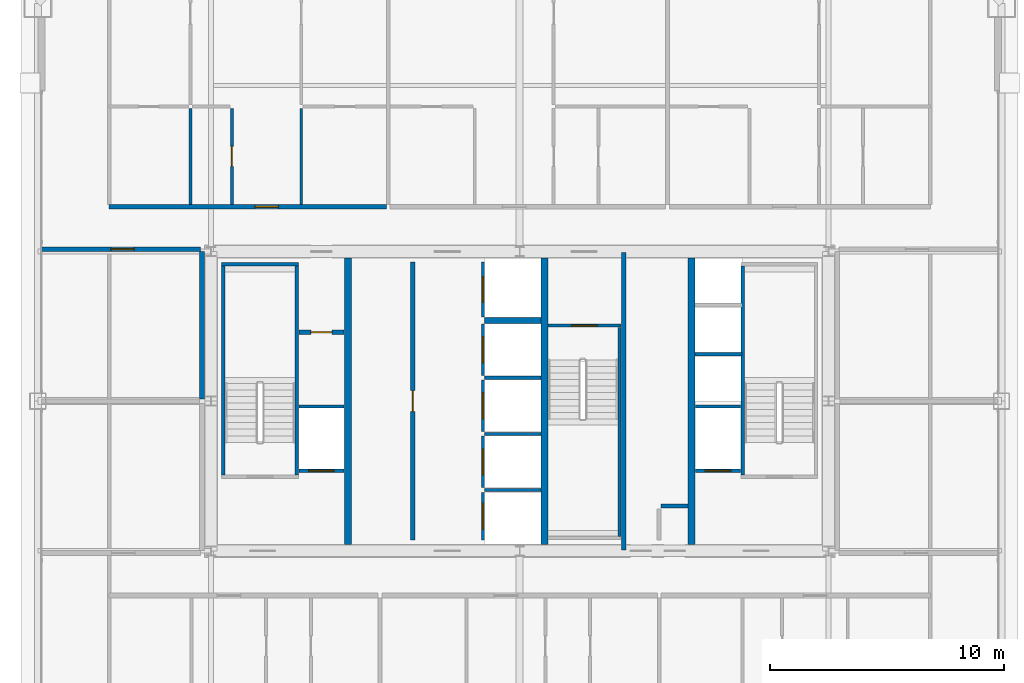
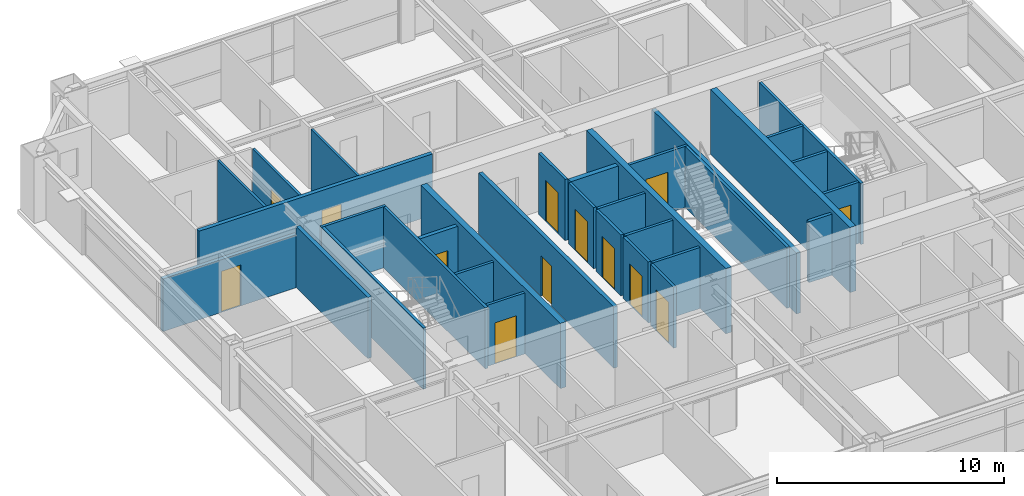
# One storey, part 33 of 37: 33 walls, 13 doors, 13 openings.
"""IFC4 building model written with IfcOpenShell, lengths in metres."""

from ifc_helpers import new_model, si_unit, direction, frame, frame_2d, origin, place, context, subcontext, project, spatial, rectangle, extrude, source, transform, mapped, material, layer, layer_set, type_object, element, fill, save


model = new_model("IFC4")

# Units and contexts
model_context = context("Model", 3, precision=1e-05, world=origin(), true_north=direction((0.0, 1.0)))
body_context = subcontext(model_context, "Body", "Model", "MODEL_VIEW")
ifc_project = project(units=[si_unit("LENGTHUNIT", "METRE"), si_unit("AREAUNIT", "SQUARE_METRE"), si_unit("VOLUMEUNIT", "CUBIC_METRE"), si_unit("PLANEANGLEUNIT", "RADIAN"), si_unit("MASSUNIT", "GRAM", prefix="KILO"), si_unit("THERMODYNAMICTEMPERATUREUNIT", "KELVIN"), si_unit("POWERUNIT", "WATT")], contexts=[model_context])

# Site, building, storey
site_placement = place(None, origin())
site = spatial("IfcSite", under=ifc_project, at=site_placement, CompositionType="ELEMENT")
building_placement = place(site_placement, origin())
building = spatial("IfcBuilding", under=site, at=building_placement, Name="Yuzanri Waterfront Tower", CompositionType="ELEMENT")
storey_placement = place(building_placement, frame((0.0, 0.0, 252.10009765625)))
storey = spatial("IfcBuildingStorey", under=building, at=storey_placement, Name="L67", CompositionType="ELEMENT", Elevation=252.10009765625)

# Wall, opening, door
ifc_material_1 = material(Name="Moisture-Resistant Gypsum Stud Wall", Category="gypsum")
ifc_layer_1 = layer(ifc_material_1, 0.1201171875)
ifc_layer_set_1 = layer_set([ifc_layer_1], Name="Moisture-Resistant Gypsum Stud Wall")
wall_type_1 = type_object("IfcWallType", Name="Bathroom and Kitchen Wet Partition 120", PredefinedType="PARTITIONING", material=ifc_layer_set_1)
wall_1_placement = place(storey_placement, frame((24.693115234375, 34.2099609375, 0.0), z_axis=(0.0, 0.0, 1.0), x_axis=(0.0, 1.0, 0.0)))
wall_1 = element("IfcWall", 1, at=wall_1_placement, inside=storey, type_object=wall_type_1, Name="L67 Partition UW-L67-RN1-SUB-2-E", PredefinedType="PARTITIONING", context=body_context, shape_type="SweptSolid", body=[
    extrude(rectangle(XDim=4.110107421875, YDim=0.1201171875, at=frame_2d((2.05517578125, 0.0))), origin(), (0.0, 0.0, 1.0), 3.27978515625),
])
opening_1_placement = place(wall_1_placement, frame((1.6298828125, 0.0, 0.0)))
opening_1 = element("IfcOpeningElement", 2, at=opening_1_placement, cuts=wall_1, Name="Opening ID-0850", PredefinedType="OPENING", context=body_context, shape_type="SweptSolid", body=[
    extrude(rectangle(XDim=0.85009765625, YDim=2.10009765625, at=frame_2d((0.425048828125, 1.050048828125))), frame((0.0, 0.074951171875, 0.0), z_axis=(0.0, -1.0, 0.0), x_axis=(1.0, 0.0, 0.0)), (0.0, 0.0, 1.0), 0.14990234375),
])
ifc_material_2 = material(Name="Moisture-Resistant Lacquered Timber", Category="wood")
door_type_1 = type_object("IfcDoorType", Name="En-Suite Bathroom and Kitchen Swing Door 850x2100", OperationType="NOTDEFINED", PredefinedType="DOOR", material=ifc_material_2)
shared_shape_1 = source(origin(), body_context, "Body", "SweptSolid", [
    extrude(rectangle(XDim=0.85009765625, YDim=2.10009765625, at=frame_2d((0.425048828125, 1.050048828125))), frame((0.0, 0.02490234375, 0.0), z_axis=(0.0, -1.0, 0.0), x_axis=(1.0, 0.0, 0.0)), (0.0, 0.0, 1.0), 0.050048828125),
])
door_1_placement = place(opening_1_placement, origin())
door_1 = element("IfcDoor", 3, at=door_1_placement, inside=storey, type_object=door_type_1, Name="L67 Suite Interior Room Door", OperationType="SINGLE_SWING_LEFT", OverallHeight=2.10009765625, OverallWidth=0.85009765625, PredefinedType="DOOR", context=body_context, shape_type="MappedRepresentation", body=[
    mapped(shared_shape_1, transform((0.0, 0.0, 0.0), scale=1.0)),
])
fill(opening_1, door_1)

ifc_material_3 = material(Name="Concrete C40", Category="concrete")
ifc_layer_2 = layer(ifc_material_3, 0.139892578125)
ifc_layer_set_2 = layer_set([ifc_layer_2], Name="Concrete C40")
wall_type_2 = type_object("IfcWallType", Name="Core Stair Liner and Hoistway Shaft Wall 140", PredefinedType="SOLIDWALL", material=ifc_layer_set_2)
wall_2_placement = place(storey_placement, frame((27.56005859375, 22.830078125, 0.0), z_axis=(0.0, 0.0, 1.0), x_axis=(1.0, 0.0, 0.0)))
wall_2 = element("IfcWall", 4, at=wall_2_placement, inside=storey, type_object=wall_type_2, Name="L67 Lift FL-01 Front Shaft Wall", PredefinedType="SOLIDWALL", context=body_context, shape_type="SweptSolid", body=[
    extrude(rectangle(XDim=1.919921875, YDim=0.139892578125, at=frame_2d((0.9599609375, 0.0))), origin(), (0.0, 0.0, 1.0), 3.27978515625),
])
opening_2_placement = place(wall_2_placement, frame((0.409912109375, 0.0, 0.0)))
opening_2 = element("IfcOpeningElement", 5, at=opening_2_placement, cuts=wall_2, Name="Opening LD-FL-01", PredefinedType="OPENING", context=body_context, shape_type="SweptSolid", body=[
    extrude(rectangle(XDim=1.10009765625, YDim=2.199951171875, at=frame_2d((0.550048828125, 1.10009765625))), frame((0.0, 0.0849609375, 0.0), z_axis=(0.0, -1.0, 0.0), x_axis=(1.0, 0.0, 0.0)), (0.0, 0.0, 1.0), 0.169677734375),
])
ifc_material_4 = material(Name="Brushed Bronze and Stainless Steel Cab", Category="steel")
door_type_2 = type_object("IfcDoorType", Name="Center-Parting Bronze Lift Landing Sliding Door 1100x2200", OperationType="NOTDEFINED", PredefinedType="DOOR", material=ifc_material_4)
shared_shape_2 = source(origin(), body_context, "Body", "SweptSolid", [
    extrude(rectangle(XDim=1.10009765625, YDim=2.199951171875, at=frame_2d((0.550048828125, 1.10009765625))), frame((0.0, 0.02490234375, 0.0), z_axis=(0.0, -1.0, 0.0), x_axis=(1.0, 0.0, 0.0)), (0.0, 0.0, 1.0), 0.050048828125),
])
door_2_placement = place(opening_2_placement, origin())
door_2 = element("IfcDoor", 6, at=door_2_placement, inside=storey, type_object=door_type_2, Name="L67 FL-01 Lift Landing Sliding Door", OperationType="SLIDING_TO_LEFT", OverallHeight=2.199951171875, OverallWidth=1.10009765625, PredefinedType="DOOR", context=body_context, shape_type="MappedRepresentation", body=[
    mapped(shared_shape_2, transform((0.0, 0.0, 0.0), scale=1.0)),
])
fill(opening_2, door_2)

wall_3_placement = place(storey_placement, frame((44.52001953125, 22.830078125, 0.0), z_axis=(0.0, 0.0, 1.0), x_axis=(1.0, 0.0, 0.0)))
wall_3 = element("IfcWall", 7, at=wall_3_placement, inside=storey, type_object=wall_type_2, Name="L67 Lift FL-02 Front Shaft Wall", PredefinedType="SOLIDWALL", context=body_context, shape_type="SweptSolid", body=[
    extrude(rectangle(XDim=1.919921875, YDim=0.139892578125, at=frame_2d((0.9599609375, 0.0))), origin(), (0.0, 0.0, 1.0), 3.27978515625),
])
opening_3_placement = place(wall_3_placement, frame((0.409912109375, 0.0, 0.0)))
opening_3 = element("IfcOpeningElement", 8, at=opening_3_placement, cuts=wall_3, Name="Opening LD-FL-02", PredefinedType="OPENING", context=body_context, shape_type="SweptSolid", body=[
    extrude(rectangle(XDim=1.10009765625, YDim=2.199951171875, at=frame_2d((0.550048828125, 1.10009765625))), frame((0.0, 0.0849609375, 0.0), z_axis=(0.0, -1.0, 0.0), x_axis=(1.0, 0.0, 0.0)), (0.0, 0.0, 1.0), 0.169677734375),
])
door_3_placement = place(opening_3_placement, origin())
door_3 = element("IfcDoor", 9, at=door_3_placement, inside=storey, type_object=door_type_2, Name="L67 FL-02 Lift Landing Sliding Door", OperationType="SLIDING_TO_RIGHT", OverallHeight=2.199951171875, OverallWidth=1.10009765625, PredefinedType="DOOR", context=body_context, shape_type="MappedRepresentation", body=[
    mapped(shared_shape_2, transform((0.0, 0.0, 0.0), scale=1.0)),
])
fill(opening_3, door_3)

wall_4_placement = place(storey_placement, frame((35.429931640625, 19.860107421875, 0.0), z_axis=(0.0, 0.0, 1.0), x_axis=(0.0, 1.0, 0.0)))
wall_4 = element("IfcWall", 10, at=wall_4_placement, inside=storey, type_object=wall_type_2, Name="L67 Lift PL-05 Front Shaft Wall", PredefinedType="SOLIDWALL", context=body_context, shape_type="SweptSolid", body=[
    extrude(rectangle(XDim=2.039794921875, YDim=0.139892578125, at=frame_2d((1.02001953125, 0.0))), origin(), (0.0, 0.0, 1.0), 3.27978515625),
])
opening_4_placement = place(wall_4_placement, frame((0.469970703125, 0.0, 0.0)))
opening_4 = element("IfcOpeningElement", 11, at=opening_4_placement, cuts=wall_4, Name="Opening LD-PL-05", PredefinedType="OPENING", context=body_context, shape_type="SweptSolid", body=[
    extrude(rectangle(XDim=1.10009765625, YDim=2.199951171875, at=frame_2d((0.550048828125, 1.10009765625))), frame((0.0, 0.0849609375, 0.0), z_axis=(0.0, -1.0, 0.0), x_axis=(1.0, 0.0, 0.0)), (0.0, 0.0, 1.0), 0.169677734375),
])
door_4_placement = place(opening_4_placement, origin())
door_4 = element("IfcDoor", 12, at=door_4_placement, inside=storey, type_object=door_type_2, Name="L67 PL-05 Lift Landing Sliding Door", OperationType="SLIDING_TO_RIGHT", OverallHeight=2.199951171875, OverallWidth=1.10009765625, PredefinedType="DOOR", context=body_context, shape_type="MappedRepresentation", body=[
    mapped(shared_shape_2, transform((0.0, 0.0, 0.0), scale=1.0)),
])
fill(opening_4, door_4)

wall_5_placement = place(storey_placement, frame((35.429931640625, 22.10009765625, 0.0), z_axis=(0.0, 0.0, 1.0), x_axis=(0.0, 1.0, 0.0)))
wall_5 = element("IfcWall", 13, at=wall_5_placement, inside=storey, type_object=wall_type_2, Name="L67 Lift PL-06 Front Shaft Wall", PredefinedType="SOLIDWALL", context=body_context, shape_type="SweptSolid", body=[
    extrude(rectangle(XDim=2.199951171875, YDim=0.139892578125, at=frame_2d((1.10009765625, 0.0))), origin(), (0.0, 0.0, 1.0), 3.27978515625),
])
opening_5_placement = place(wall_5_placement, frame((0.550048828125, 0.0, 0.0)))
opening_5 = element("IfcOpeningElement", 14, at=opening_5_placement, cuts=wall_5, Name="Opening LD-PL-06", PredefinedType="OPENING", context=body_context, shape_type="SweptSolid", body=[
    extrude(rectangle(XDim=1.10009765625, YDim=2.199951171875, at=frame_2d((0.550048828125, 1.10009765625))), frame((0.0, 0.0849609375, 0.0), z_axis=(0.0, -1.0, 0.0), x_axis=(1.0, 0.0, 0.0)), (0.0, 0.0, 1.0), 0.169677734375),
])
door_5_placement = place(opening_5_placement, origin())
door_5 = element("IfcDoor", 15, at=door_5_placement, inside=storey, type_object=door_type_2, Name="L67 PL-06 Lift Landing Sliding Door", OperationType="SLIDING_TO_LEFT", OverallHeight=2.199951171875, OverallWidth=1.10009765625, PredefinedType="DOOR", context=body_context, shape_type="MappedRepresentation", body=[
    mapped(shared_shape_2, transform((0.0, 0.0, 0.0), scale=1.0)),
])
fill(opening_5, door_5)

wall_6_placement = place(storey_placement, frame((35.429931640625, 24.5, 0.0), z_axis=(0.0, 0.0, 1.0), x_axis=(0.0, 1.0, 0.0)))
wall_6 = element("IfcWall", 16, at=wall_6_placement, inside=storey, type_object=wall_type_2, Name="L67 Lift PL-07 Front Shaft Wall", PredefinedType="SOLIDWALL", context=body_context, shape_type="SweptSolid", body=[
    extrude(rectangle(XDim=2.199951171875, YDim=0.139892578125, at=frame_2d((1.10009765625, 0.0))), origin(), (0.0, 0.0, 1.0), 3.27978515625),
])
opening_6_placement = place(wall_6_placement, frame((0.550048828125, 0.0, 0.0)))
opening_6 = element("IfcOpeningElement", 17, at=opening_6_placement, cuts=wall_6, Name="Opening LD-PL-07", PredefinedType="OPENING", context=body_context, shape_type="SweptSolid", body=[
    extrude(rectangle(XDim=1.10009765625, YDim=2.199951171875, at=frame_2d((0.550048828125, 1.10009765625))), frame((0.0, 0.0849609375, 0.0), z_axis=(0.0, -1.0, 0.0), x_axis=(1.0, 0.0, 0.0)), (0.0, 0.0, 1.0), 0.169677734375),
])
door_6_placement = place(opening_6_placement, origin())
door_6 = element("IfcDoor", 18, at=door_6_placement, inside=storey, type_object=door_type_2, Name="L67 PL-07 Lift Landing Sliding Door", OperationType="SLIDING_TO_RIGHT", OverallHeight=2.199951171875, OverallWidth=1.10009765625, PredefinedType="DOOR", context=body_context, shape_type="MappedRepresentation", body=[
    mapped(shared_shape_2, transform((0.0, 0.0, 0.0), scale=1.0)),
])
fill(opening_6, door_6)

wall_7_placement = place(storey_placement, frame((35.429931640625, 26.89990234375, 0.0), z_axis=(0.0, 0.0, 1.0), x_axis=(0.0, 1.0, 0.0)))
wall_7 = element("IfcWall", 19, at=wall_7_placement, inside=storey, type_object=wall_type_2, Name="L67 Lift PL-08 Front Shaft Wall", PredefinedType="SOLIDWALL", context=body_context, shape_type="SweptSolid", body=[
    extrude(rectangle(XDim=2.2001953125, YDim=0.139892578125, at=frame_2d((1.10009765625, 0.0))), origin(), (0.0, 0.0, 1.0), 3.27978515625),
])
opening_7_placement = place(wall_7_placement, frame((0.550048828125, 0.0, 0.0)))
opening_7 = element("IfcOpeningElement", 20, at=opening_7_placement, cuts=wall_7, Name="Opening LD-PL-08", PredefinedType="OPENING", context=body_context, shape_type="SweptSolid", body=[
    extrude(rectangle(XDim=1.10009765625, YDim=2.199951171875, at=frame_2d((0.550048828125, 1.10009765625))), frame((0.0, 0.0849609375, 0.0), z_axis=(0.0, -1.0, 0.0), x_axis=(1.0, 0.0, 0.0)), (0.0, 0.0, 1.0), 0.169677734375),
])
door_7_placement = place(opening_7_placement, origin())
door_7 = element("IfcDoor", 21, at=door_7_placement, inside=storey, type_object=door_type_2, Name="L67 PL-08 Lift Landing Sliding Door", OperationType="SLIDING_TO_LEFT", OverallHeight=2.199951171875, OverallWidth=1.10009765625, PredefinedType="DOOR", context=body_context, shape_type="MappedRepresentation", body=[
    mapped(shared_shape_2, transform((0.0, 0.0, 0.0), scale=1.0)),
])
fill(opening_7, door_7)

wall_8_placement = place(storey_placement, frame((35.429931640625, 29.39990234375, 0.0), z_axis=(0.0, 0.0, 1.0), x_axis=(0.0, 1.0, 0.0)))
wall_8 = element("IfcWall", 22, at=wall_8_placement, inside=storey, type_object=wall_type_2, Name="L67 Lift SL-02 Front Shaft Wall", PredefinedType="SOLIDWALL", context=body_context, shape_type="SweptSolid", body=[
    extrude(rectangle(XDim=2.340087890625, YDim=0.139892578125, at=frame_2d((1.169921875, 0.0))), origin(), (0.0, 0.0, 1.0), 3.27978515625),
])
opening_8_placement = place(wall_8_placement, frame((0.6201171875, 0.0, 0.0)))
opening_8 = element("IfcOpeningElement", 23, at=opening_8_placement, cuts=wall_8, Name="Opening LD-SL-02", PredefinedType="OPENING", context=body_context, shape_type="SweptSolid", body=[
    extrude(rectangle(XDim=1.10009765625, YDim=2.199951171875, at=frame_2d((0.550048828125, 1.10009765625))), frame((0.0, 0.0849609375, 0.0), z_axis=(0.0, -1.0, 0.0), x_axis=(1.0, 0.0, 0.0)), (0.0, 0.0, 1.0), 0.169677734375),
])
door_8_placement = place(opening_8_placement, origin())
door_8 = element("IfcDoor", 24, at=door_8_placement, inside=storey, type_object=door_type_2, Name="L67 SL-02 Lift Landing Sliding Door", OperationType="SLIDING_TO_RIGHT", OverallHeight=2.199951171875, OverallWidth=1.10009765625, PredefinedType="DOOR", context=body_context, shape_type="MappedRepresentation", body=[
    mapped(shared_shape_2, transform((0.0, 0.0, 0.0), scale=1.0)),
])
fill(opening_8, door_8)

wall_9_placement = place(storey_placement, frame((38.199951171875, 29.030029296875, 0.0), z_axis=(0.0, 0.0, 1.0), x_axis=(1.0, 0.0, 0.0)))
wall_9 = element("IfcWall", 25, at=wall_9_placement, inside=storey, type_object=wall_type_2, Name="L67 Shaft Wall STW-L67-ST-03-N", PredefinedType="SOLIDWALL", context=body_context, shape_type="SweptSolid", body=[
    extrude(rectangle(XDim=3.14013671875, YDim=0.139892578125, at=frame_2d((1.570068359375, 0.0))), origin(), (0.0, 0.0, 1.0), 3.27978515625),
])
opening_9_placement = place(wall_9_placement, frame((1.02001953125, 0.0, 0.0)))
opening_9 = element("IfcOpeningElement", 26, at=opening_9_placement, cuts=wall_9, Name="Opening FD-1100", PredefinedType="OPENING", context=body_context, shape_type="SweptSolid", body=[
    extrude(rectangle(XDim=1.10009765625, YDim=2.199951171875, at=frame_2d((0.550048828125, 1.10009765625))), frame((0.0, 0.0849609375, 0.0), z_axis=(0.0, -1.0, 0.0), x_axis=(1.0, 0.0, 0.0)), (0.0, 0.0, 1.0), 0.169677734375),
])
ifc_material_5 = material(Name="Painted Galvanized Fire Steel", Category="steel")
door_type_3 = type_object("IfcDoorType", Name="Smoke-Proof Stair and Lobby Fire Door 1100x2200", OperationType="NOTDEFINED", PredefinedType="DOOR", material=ifc_material_5)
shared_shape_3 = source(origin(), body_context, "Body", "SweptSolid", [
    extrude(rectangle(XDim=1.10009765625, YDim=2.199951171875, at=frame_2d((0.550048828125, 1.10009765625))), frame((0.0, 0.02490234375, 0.0), z_axis=(0.0, -1.0, 0.0), x_axis=(1.0, 0.0, 0.0)), (0.0, 0.0, 1.0), 0.050048828125),
])
door_9_placement = place(opening_9_placement, origin())
door_9 = element("IfcDoor", 27, at=door_9_placement, inside=storey, type_object=door_type_3, Name="L67 Stair ST-03 Fire Door", OperationType="SINGLE_SWING_RIGHT", OverallHeight=2.199951171875, OverallWidth=1.10009765625, PredefinedType="DOOR", context=body_context, shape_type="MappedRepresentation", body=[
    mapped(shared_shape_3, transform((0.0, 0.0, 0.0), scale=1.0)),
])
fill(opening_9, door_9)

ifc_material_6 = material(Name="Autoclaved Aerated Concrete Blockwork", Category="masonry")
ifc_layer_3 = layer(ifc_material_6, 0.199951171875)
ifc_layer_set_3 = layer_set([ifc_layer_3], Name="Autoclaved Aerated Concrete Blockwork")
wall_type_3 = type_object("IfcWallType", Name="Corridor and Unit Party Fire Wall 200", PredefinedType="PARTITIONING", material=ifc_layer_set_3)
wall_10_placement = place(storey_placement, frame((27.56005859375, 28.75, 0.0), z_axis=(0.0, 0.0, 1.0), x_axis=(1.0, 0.0, 0.0)))
wall_10 = element("IfcWall", 28, at=wall_10_placement, inside=storey, type_object=wall_type_3, Name="L67 Partition CRW-L67-ERTR", PredefinedType="PARTITIONING", context=body_context, shape_type="SweptSolid", body=[
    extrude(rectangle(XDim=1.919921875, YDim=0.199951171875, at=frame_2d((0.9599609375, 0.0))), origin(), (0.0, 0.0, 1.0), 3.27978515625),
])
opening_10_placement = place(wall_10_placement, frame((0.510009765625, 0.0, 0.0)))
opening_10 = element("IfcOpeningElement", 29, at=opening_10_placement, cuts=wall_10, Name="Opening FD-0900", PredefinedType="OPENING", context=body_context, shape_type="SweptSolid", body=[
    extrude(rectangle(XDim=0.89990234375, YDim=2.14990234375, at=frame_2d((0.449951171875, 1.074951171875))), frame((0.0, 0.11474609375, 0.0), z_axis=(0.0, -1.0, 0.0), x_axis=(1.0, 0.0, 0.0)), (0.0, 0.0, 1.0), 0.229736328125),
])
ifc_material_7 = material(Name="Painted Galvanized Fire Steel", Category="steel")
door_type_4 = type_object("IfcDoorType", Name="Riser and Service Room Fire Door 900x2150", OperationType="NOTDEFINED", PredefinedType="DOOR", material=ifc_material_7)
shared_shape_4 = source(origin(), body_context, "Body", "SweptSolid", [
    extrude(rectangle(XDim=0.89990234375, YDim=2.14990234375, at=frame_2d((0.449951171875, 1.074951171875))), frame((0.0, 0.02490234375, 0.0), z_axis=(0.0, -1.0, 0.0), x_axis=(1.0, 0.0, 0.0)), (0.0, 0.0, 1.0), 0.050048828125),
])
door_10_placement = place(opening_10_placement, origin())
door_10 = element("IfcDoor", 30, at=door_10_placement, inside=storey, type_object=door_type_4, Name="L67 Electrical Riser Door", OperationType="SINGLE_SWING_LEFT", OverallHeight=2.14990234375, OverallWidth=0.89990234375, PredefinedType="DOOR", context=body_context, shape_type="MappedRepresentation", body=[
    mapped(shared_shape_4, transform((0.0, 0.0, 0.0), scale=1.0)),
])
fill(opening_10, door_10)

wall_11_placement = place(storey_placement, frame((32.419921875, 19.860107421875, 0.0), z_axis=(0.0, 0.0, 1.0), x_axis=(0.0, 1.0, 0.0)))
wall_11 = element("IfcWall", 31, at=wall_11_placement, inside=storey, type_object=wall_type_3, Name="L67 Partition CRW-L67-B1R-1", PredefinedType="PARTITIONING", context=body_context, shape_type="SweptSolid", body=[
    extrude(rectangle(XDim=11.8798828125, YDim=0.199951171875, at=frame_2d((5.93994140625, 0.0))), origin(), (0.0, 0.0, 1.0), 3.27978515625),
])
opening_11_placement = place(wall_11_placement, frame((5.489990234375, 0.0, 0.0)))
opening_11 = element("IfcOpeningElement", 32, at=opening_11_placement, cuts=wall_11, Name="Opening FD-0900", PredefinedType="OPENING", context=body_context, shape_type="SweptSolid", body=[
    extrude(rectangle(XDim=0.89990234375, YDim=2.14990234375, at=frame_2d((0.449951171875, 1.074951171875))), frame((0.0, 0.11474609375, 0.0), z_axis=(0.0, -1.0, 0.0), x_axis=(1.0, 0.0, 0.0)), (0.0, 0.0, 1.0), 0.229736328125),
])
door_11_placement = place(opening_11_placement, origin())
door_11 = element("IfcDoor", 33, at=door_11_placement, inside=storey, type_object=door_type_4, Name="L67 Private Store Room", OperationType="SINGLE_SWING_RIGHT", OverallHeight=2.14990234375, OverallWidth=0.89990234375, PredefinedType="DOOR", context=body_context, shape_type="MappedRepresentation", body=[
    mapped(shared_shape_4, transform((0.0, 0.0, 0.0), scale=1.0)),
])
fill(opening_11, door_11)

wall_12_placement = place(storey_placement, frame((19.43994140625, 34.110107421875, 0.0), z_axis=(0.0, 0.0, 1.0), x_axis=(1.0, 0.0, 0.0)))
wall_12 = element("IfcWall", 34, at=wall_12_placement, inside=storey, type_object=wall_type_3, Name="L67 Partition UW-L67-RN1-CS", PredefinedType="PARTITIONING", context=body_context, shape_type="SweptSolid", body=[
    extrude(rectangle(XDim=11.861083984375, YDim=0.199951171875, at=frame_2d((5.9306640625, 0.0))), origin(), (0.0, 0.0, 1.0), 3.27978515625),
])
opening_12_placement = place(wall_12_placement, frame((6.238037109375, 0.0, 0.0)))
opening_12 = element("IfcOpeningElement", 35, at=opening_12_placement, cuts=wall_12, Name="Opening FD-1000", PredefinedType="OPENING", context=body_context, shape_type="SweptSolid", body=[
    extrude(rectangle(XDim=1.0, YDim=2.199951171875, at=frame_2d((0.5, 1.10009765625))), frame((0.0, 0.11474609375, 0.0), z_axis=(0.0, -1.0, 0.0), x_axis=(1.0, 0.0, 0.0)), (0.0, 0.0, 1.0), 0.229736328125),
])
ifc_material_8 = material(Name="Engineered Oak Fire-Rated Timber", Category="wood")
door_type_5 = type_object("IfcDoorType", Name="Guestroom and Apartment Entrance Fire Door 1000x2200", OperationType="NOTDEFINED", PredefinedType="DOOR", material=ifc_material_8)
shared_shape_5 = source(origin(), body_context, "Body", "SweptSolid", [
    extrude(rectangle(XDim=1.0, YDim=2.199951171875, at=frame_2d((0.5, 1.10009765625))), frame((0.0, 0.02490234375, 0.0), z_axis=(0.0, -1.0, 0.0), x_axis=(1.0, 0.0, 0.0)), (0.0, 0.0, 1.0), 0.050048828125),
])
door_12_placement = place(opening_12_placement, origin())
door_12 = element("IfcDoor", 36, at=door_12_placement, inside=storey, type_object=door_type_5, Name="L67 Apartment Living and Dining Salon Entrance Door", OperationType="SINGLE_SWING_LEFT", OverallHeight=2.199951171875, OverallWidth=1.0, PredefinedType="DOOR", context=body_context, shape_type="MappedRepresentation", body=[
    mapped(shared_shape_5, transform((0.0, 0.0, 0.0), scale=1.0)),
])
fill(opening_12, door_12)

wall_13_placement = place(storey_placement, frame((16.550048828125, 32.2900390625, 0.0), z_axis=(0.0, 0.0, 1.0), x_axis=(1.0, 0.0, 0.0)))
wall_13 = element("IfcWall", 37, at=wall_13_placement, inside=storey, type_object=wall_type_3, Name="L67 Partition UW-L67-048-CN", PredefinedType="PARTITIONING", context=body_context, shape_type="SweptSolid", body=[
    extrude(rectangle(XDim=6.800048828125, YDim=0.199951171875, at=frame_2d((3.39990234375, 0.0))), origin(), (0.0, 0.0, 1.0), 2.824951171875),
])
opening_13_placement = place(wall_13_placement, frame((2.965087890625, 0.0, 0.0)))
opening_13 = element("IfcOpeningElement", 38, at=opening_13_placement, cuts=wall_13, Name="Opening FD-1000", PredefinedType="OPENING", context=body_context, shape_type="SweptSolid", body=[
    extrude(rectangle(XDim=1.0, YDim=2.199951171875, at=frame_2d((0.5, 1.10009765625))), frame((0.0, 0.11474609375, 0.0), z_axis=(0.0, -1.0, 0.0), x_axis=(1.0, 0.0, 0.0)), (0.0, 0.0, 1.0), 0.229736328125),
])
door_13_placement = place(opening_13_placement, origin())
door_13 = element("IfcDoor", 39, at=door_13_placement, inside=storey, type_object=door_type_5, Name="L67 Residents W Executive Office 2 Entrance Door", OperationType="SINGLE_SWING_RIGHT", OverallHeight=2.199951171875, OverallWidth=1.0, PredefinedType="DOOR", context=body_context, shape_type="MappedRepresentation", body=[
    mapped(shared_shape_5, transform((0.0, 0.0, 0.0), scale=1.0)),
])
fill(opening_13, door_13)

# Walls
ifc_material_9 = material(Name="Concrete C50", Category="concrete")
ifc_layer_4 = layer(ifc_material_9, 0.300048828125)
ifc_layer_set_4 = layer_set([ifc_layer_4], Name="Concrete C50")
wall_type_4 = type_object("IfcWallType", Name="Concrete C50 Internal Core Shaft Structural Wall 300", PredefinedType="SOLIDWALL", material=ifc_layer_set_4)
shared_shape_6 = source(origin(), body_context, "Body", "SweptSolid", [
    extrude(rectangle(XDim=12.25, YDim=0.300048828125, at=frame_2d((6.125, 0.0))), origin(), (0.0, 0.0, 1.0), 3.5),
])
for number, where, z_axis, x_axis, name in (
    (40, (29.64990234375, 19.675048828125, 0.0), (0.0, 0.0, 1.0), (0.0, 1.0, 0.0), "L67 Core Internal Structural Web Wall 1"),
    (41, (38.050048828125, 19.675048828125, 0.0), (0.0, 0.0, 1.0), (0.0, 1.0, 0.0), "L67 Core Internal Structural Web Wall 2"),
    (42, (44.35009765625, 19.675048828125, 0.0), (0.0, 0.0, 1.0), (0.0, 1.0, 0.0), "L67 Core Internal Structural Web Wall 3"),
):
    element("IfcWall", number, at=place(storey_placement, frame(where, z_axis=z_axis, x_axis=x_axis)), inside=storey, type_object=wall_type_4, Name=name, PredefinedType="SOLIDWALL", context=body_context, shape_type="MappedRepresentation", body=[
        mapped(shared_shape_6, transform((0.0, 0.0, 0.0), scale=1.0)),
    ])
shared_shape_7 = source(origin(), body_context, "Body", "SweptSolid", [
    extrude(rectangle(XDim=1.919921875, YDim=0.139892578125, at=frame_2d((0.9599609375, 0.0))), origin(), (0.0, 0.0, 1.0), 3.27978515625),
])
for number, where, z_axis, x_axis, name in (
    (43, (27.56005859375, 25.570068359375, 0.0), (0.0, 0.0, 1.0), (1.0, 0.0, 0.0), "L67 Lift FL-01 Back Shaft Wall"),
    (44, (44.52001953125, 25.570068359375, 0.0), (0.0, 0.0, 1.0), (1.0, 0.0, 0.0), "L67 Lift FL-02 Back Shaft Wall"),
):
    element("IfcWall", number, at=place(storey_placement, frame(where, z_axis=z_axis, x_axis=x_axis)), inside=storey, type_object=wall_type_2, Name=name, PredefinedType="SOLIDWALL", context=body_context, shape_type="MappedRepresentation", body=[
        mapped(shared_shape_7, transform((0.0, 0.0, 0.0), scale=1.0)),
    ])
shared_shape_8 = source(origin(), body_context, "Body", "SweptSolid", [
    extrude(rectangle(XDim=2.39990234375, YDim=0.139892578125, at=frame_2d((1.199951171875, 0.0))), origin(), (0.0, 0.0, 1.0), 3.27978515625),
])
for number, where, z_axis, x_axis, name in (
    (45, (35.5, 22.0, 0.0), (0.0, 0.0, 1.0), (1.0, 0.0, 0.0), "L67 Lift PL-05 Divider Wall"),
    (46, (35.5, 24.39990234375, 0.0), (0.0, 0.0, 1.0), (1.0, 0.0, 0.0), "L67 Lift PL-06 Divider Wall"),
    (47, (35.5, 26.800048828125, 0.0), (0.0, 0.0, 1.0), (1.0, 0.0, 0.0), "L67 Lift PL-07 Divider Wall"),
):
    element("IfcWall", number, at=place(storey_placement, frame(where, z_axis=z_axis, x_axis=x_axis)), inside=storey, type_object=wall_type_2, Name=name, PredefinedType="SOLIDWALL", context=body_context, shape_type="MappedRepresentation", body=[
        mapped(shared_shape_8, transform((0.0, 0.0, 0.0), scale=1.0)),
    ])
ifc_material_10 = material(Name="Concrete C40", Category="concrete")
ifc_layer_5 = layer(ifc_material_10, 0.25)
ifc_layer_set_5 = layer_set([ifc_layer_5], Name="Concrete C40")
wall_type_5 = type_object("IfcWallType", Name="Smoke-Proof Stair and Lift Shaft Wall 250", PredefinedType="SOLIDWALL", material=ifc_layer_set_5)
shared_shape_9 = source(origin(), body_context, "Body", "SweptSolid", [
    extrude(rectangle(XDim=2.39990234375, YDim=0.25, at=frame_2d((1.199951171875, 0.0))), origin(), (0.0, 0.0, 1.0), 3.27978515625),
])
wall_14_placement = place(storey_placement, frame((35.5, 29.25, 0.0), z_axis=(0.0, 0.0, 1.0), x_axis=(1.0, 0.0, 0.0)))
element("IfcWall", 48, at=wall_14_placement, inside=storey, type_object=wall_type_5, Name="L67 Lift SL-02 South Shaft Wall", PredefinedType="SOLIDWALL", context=body_context, shape_type="MappedRepresentation", body=[
    mapped(shared_shape_9, transform((0.0, 0.0, 0.0), scale=1.0)),
])
shared_shape_10 = source(origin(), body_context, "Body", "SweptSolid", [
    extrude(rectangle(XDim=2.0, YDim=0.139892578125, at=frame_2d((1.0, 0.0))), origin(), (0.0, 0.0, 1.0), 3.27978515625),
])
wall_15_placement = place(storey_placement, frame((44.5, 27.800048828125, 0.0), z_axis=(0.0, 0.0, 1.0), x_axis=(1.0, 0.0, 0.0)))
element("IfcWall", 49, at=wall_15_placement, inside=storey, type_object=wall_type_2, Name="L67 Lift PL-09 Divider Wall", PredefinedType="SOLIDWALL", context=body_context, shape_type="MappedRepresentation", body=[
    mapped(shared_shape_10, transform((0.0, 0.0, 0.0), scale=1.0)),
])
shared_shape_11 = source(origin(), body_context, "Body", "SweptSolid", [
    extrude(rectangle(XDim=3.280029296875, YDim=0.139892578125, at=frame_2d((1.64013671875, 0.0))), origin(), (0.0, 0.0, 1.0), 3.27978515625),
])
wall_16_placement = place(storey_placement, frame((24.260009765625, 31.64990234375, 0.0), z_axis=(0.0, 0.0, 1.0), x_axis=(1.0, 0.0, 0.0)))
element("IfcWall", 50, at=wall_16_placement, inside=storey, type_object=wall_type_2, Name="L67 Stair ST-01 North Shaft Wall", PredefinedType="SOLIDWALL", context=body_context, shape_type="MappedRepresentation", body=[
    mapped(shared_shape_11, transform((0.0, 0.0, 0.0), scale=1.0)),
])
shared_shape_12 = source(origin(), body_context, "Body", "SweptSolid", [
    extrude(rectangle(XDim=8.940185546875, YDim=0.139892578125, at=frame_2d((4.47021484375, 0.0))), origin(), (0.0, 0.0, 1.0), 3.27978515625),
])
for number, where, z_axis, x_axis, name in (
    (51, (24.330078125, 22.639892578125, 0.0), (0.0, 0.0, 1.0), (0.0, 1.0, 0.0), "L67 Stair ST-01 West Shaft Wall"),
    (52, (27.469970703125, 22.639892578125, 0.0), (0.0, 0.0, 1.0), (0.0, 1.0, 0.0), "L67 Stair ST-01 East Shaft Wall"),
    (53, (46.530029296875, 22.639892578125, 0.0), (0.0, 0.0, 1.0), (0.0, 1.0, 0.0), "L67 Stair ST-02 West Shaft Wall"),
):
    element("IfcWall", number, at=place(storey_placement, frame(where, z_axis=z_axis, x_axis=x_axis)), inside=storey, type_object=wall_type_2, Name=name, PredefinedType="SOLIDWALL", context=body_context, shape_type="MappedRepresentation", body=[
        mapped(shared_shape_12, transform((0.0, 0.0, 0.0), scale=1.0)),
    ])
shared_shape_13 = source(origin(), body_context, "Body", "SweptSolid", [
    extrude(rectangle(XDim=8.93994140625, YDim=0.139892578125, at=frame_2d((4.469970703125, 0.0))), origin(), (0.0, 0.0, 1.0), 3.27978515625),
])
wall_17_placement = place(storey_placement, frame((41.27001953125, 20.02001953125, 0.0), z_axis=(0.0, 0.0, 1.0), x_axis=(0.0, 1.0, 0.0)))
element("IfcWall", 54, at=wall_17_placement, inside=storey, type_object=wall_type_2, Name="L67 Stair ST-03 East Shaft Wall", PredefinedType="SOLIDWALL", context=body_context, shape_type="MappedRepresentation", body=[
    mapped(shared_shape_13, transform((0.0, 0.0, 0.0), scale=1.0)),
])
ifc_material_11 = material(Name="Gypsum Fireboard Acoustic Stud Wall", Category="gypsum")
ifc_layer_6 = layer(ifc_material_11, 0.159912109375)
ifc_layer_set_6 = layer_set([ifc_layer_6], Name="Gypsum Fireboard Acoustic Stud Wall")
wall_type_6 = type_object("IfcWallType", Name="Acoustic Suite Demising Partition 160", PredefinedType="PARTITIONING", material=ifc_layer_set_6)
shared_shape_14 = source(origin(), body_context, "Body", "SweptSolid", [
    extrude(rectangle(XDim=1.169921875, YDim=0.159912109375, at=frame_2d((0.5849609375, 0.0))), origin(), (0.0, 0.0, 1.0), 3.27978515625),
])
wall_18_placement = place(storey_placement, frame((43.030029296875, 21.320068359375, 0.0), z_axis=(0.0, 0.0, 1.0), x_axis=(1.0, 0.0, 0.0)))
element("IfcWall", 55, at=wall_18_placement, inside=storey, type_object=wall_type_6, Name="L67 East Wet Riser North Wall", PredefinedType="PARTITIONING", context=body_context, shape_type="MappedRepresentation", body=[
    mapped(shared_shape_14, transform((0.0, 0.0, 0.0), scale=1.0)),
])
shared_shape_15 = source(origin(), body_context, "Body", "SweptSolid", [
    extrude(rectangle(XDim=12.719970703125, YDim=0.199951171875, at=frame_2d((6.35986328125, 0.0))), origin(), (0.0, 0.0, 1.0), 3.27978515625),
])
wall_19_placement = place(storey_placement, frame((41.449951171875, 19.43994140625, 0.0), z_axis=(0.0, 0.0, 1.0), x_axis=(0.0, 1.0, 0.0)))
element("IfcWall", 56, at=wall_19_placement, inside=storey, type_object=wall_type_3, Name="L67 Core BOH West Wall 1", PredefinedType="PARTITIONING", context=body_context, shape_type="MappedRepresentation", body=[
    mapped(shared_shape_15, transform((0.0, 0.0, 0.0), scale=1.0)),
])
shared_shape_16 = source(origin(), body_context, "Body", "SweptSolid", [
    extrude(rectangle(XDim=6.2900390625, YDim=0.199951171875, at=frame_2d((3.14501953125, 0.0))), origin(), (0.0, 0.0, 1.0), 3.27978515625),
])
wall_20_placement = place(storey_placement, frame((23.419921875, 25.89990234375, 0.0), z_axis=(0.0, 0.0, 1.0), x_axis=(0.0, 1.0, 0.0)))
element("IfcWall", 57, at=wall_20_placement, inside=storey, type_object=wall_type_3, Name="L67-048 Wing Inner Core-Side Wall", PredefinedType="PARTITIONING", context=body_context, shape_type="MappedRepresentation", body=[
    mapped(shared_shape_16, transform((0.0, 0.0, 0.0), scale=1.0)),
])
shared_shape_17 = source(origin(), body_context, "Body", "SweptSolid", [
    extrude(rectangle(XDim=4.110107421875, YDim=0.1201171875, at=frame_2d((2.05517578125, 0.0))), origin(), (0.0, 0.0, 1.0), 3.27978515625),
])
for number, where, z_axis, x_axis, name in (
    (58, (22.919921875, 34.2099609375, 0.0), (0.0, 0.0, 1.0), (0.0, 1.0, 0.0), "L67 Partition UW-L67-RN1-SUB-1-E"),
    (59, (27.6630859375, 34.2099609375, 0.0), (0.0, 0.0, 1.0), (0.0, 1.0, 0.0), "L67 Partition UW-L67-RN1-SUB-3-W"),
):
    element("IfcWall", number, at=place(storey_placement, frame(where, z_axis=z_axis, x_axis=x_axis)), inside=storey, type_object=wall_type_1, Name=name, PredefinedType="PARTITIONING", context=body_context, shape_type="MappedRepresentation", body=[
        mapped(shared_shape_17, transform((0.0, 0.0, 0.0), scale=1.0)),
    ])

save(model, "model.ifc")
